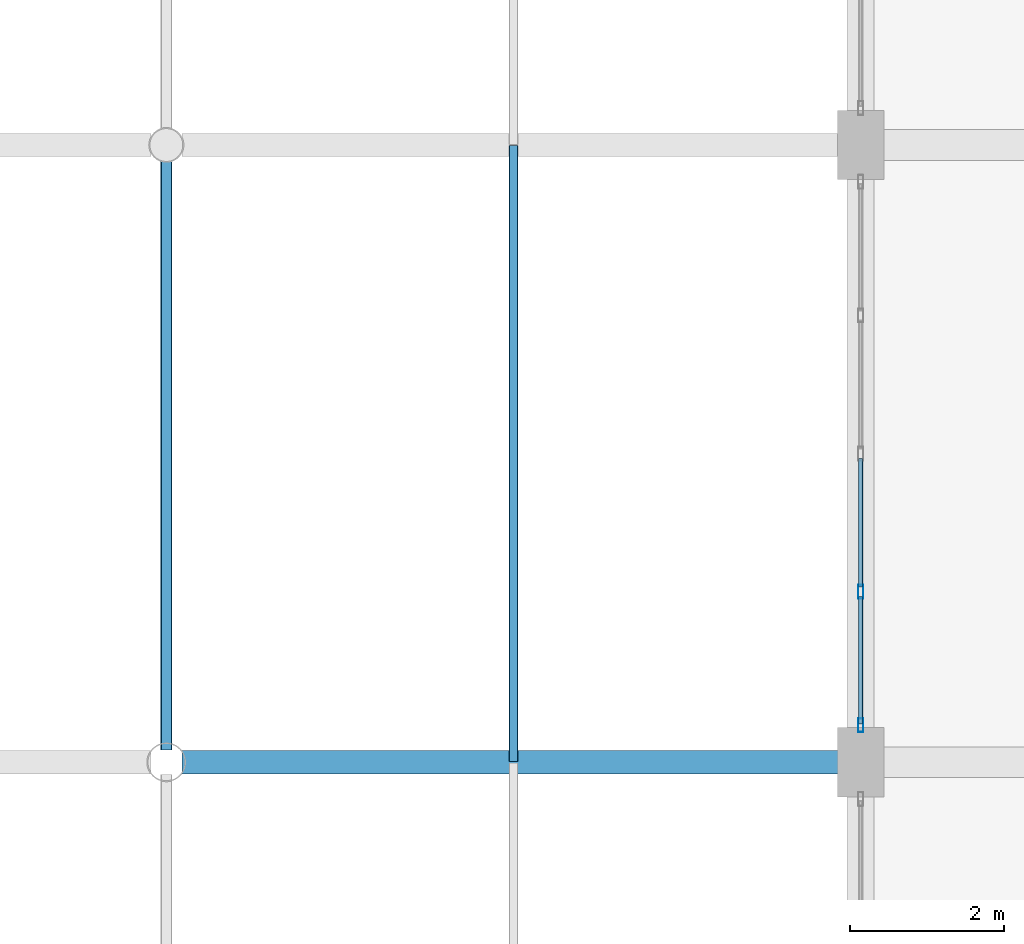
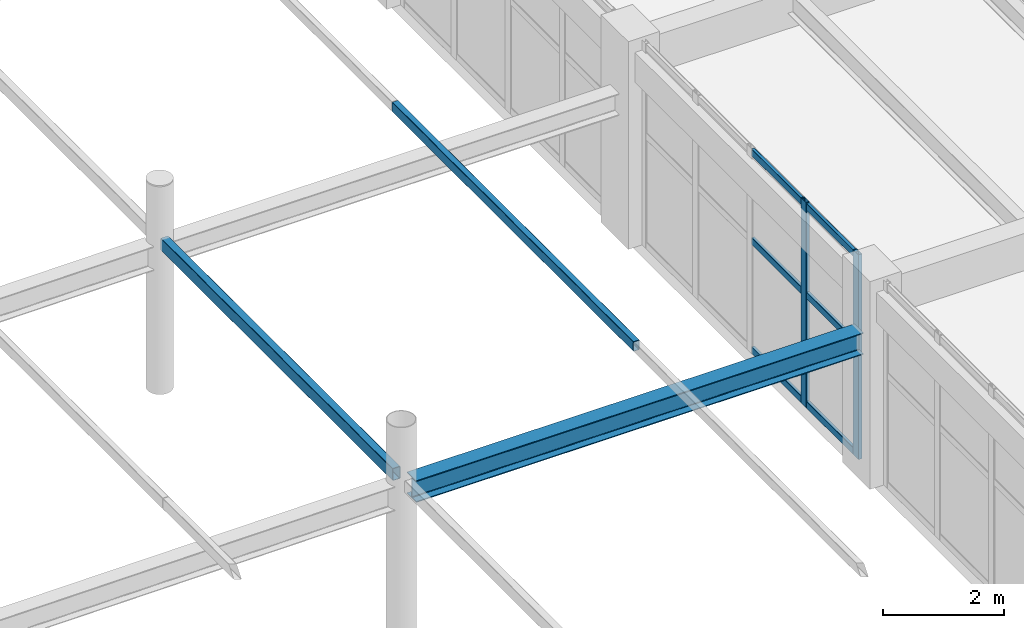
# One storey, part 33 of 148: 10 members, 1 beam, 1 element without a shape of its own.
"""IFC4 building model written with IfcOpenShell, lengths in metres."""

from ifc_helpers import new_model, si_unit, derived_unit, direction, frame, origin, origin_2d, place, context, subcontext, project, spatial, hollow_rectangle, i_section, extrude, material, material_profile, profile_set, type_object, element, aggregate, save


model = new_model("IFC4")

# Units and contexts
model_context = context("Model", 3, precision=1e-05, world=origin(), true_north=direction((0.0, 1.0)))
body_context = subcontext(model_context, "Body", "Model", "MODEL_VIEW")
ifc_project = project(units=[si_unit("LENGTHUNIT", "METRE"), si_unit("AREAUNIT", "SQUARE_METRE"), si_unit("VOLUMEUNIT", "CUBIC_METRE"), si_unit("PLANEANGLEUNIT", "RADIAN"), si_unit("MASSUNIT", "GRAM", prefix="KILO"), derived_unit("THERMALTRANSMITTANCEUNIT", [(si_unit("MASSUNIT", "GRAM", prefix="KILO"), 1), (si_unit("TIMEUNIT", "SECOND"), -3), (si_unit("THERMODYNAMICTEMPERATUREUNIT", "KELVIN"), -1)])], contexts=[model_context])

# Site, building, storey
site_placement = place(None, origin())
site = spatial("IfcSite", under=ifc_project, at=site_placement, CompositionType="ELEMENT")
building_placement = place(site_placement, origin())
building = spatial("IfcBuilding", under=site, at=building_placement, Name="Zhenchuan Archway Interchange", CompositionType="ELEMENT")
storey_placement = place(building_placement, frame((0.0, 0.0, 10.199951171875)))
storey = spatial("IfcBuildingStorey", under=building, at=storey_placement, Name="L02", CompositionType="ELEMENT", Elevation=10.199951171875)

# Beam
ifc_material_1 = material(Name="Steel Q355", Category="steel")
ifc_material_profile_1 = material_profile(ifc_material_1, i_section(OverallWidth=0.300048828125, OverallDepth=0.43994140625, WebThickness=0.010986328125, FlangeThickness=0.01806640625, FilletRadius=0.02197265625, at=origin_2d()), Name="HM 440x300")
ifc_profile_set_1 = profile_set([ifc_material_profile_1], Name="Steel Q355")
beam_type = type_object("IfcBeamType", Name="BM_STL_HM440", PredefinedType="BEAM", material=ifc_profile_set_1)
beam_placement = place(storey_placement, frame((18.199951171875, 40.0, 2.75), z_axis=(1.0, 0.0, 0.0), x_axis=(0.0, 1.0, 0.0)))
element("IfcBeam", 1, at=beam_placement, inside=storey, type_object=beam_type, Name="ROOF TRUSS bus canopy T3 east bottom chord", PredefinedType="BEAM", context=body_context, shape_type="SweptSolid", body=[
    extrude(i_section(OverallWidth=0.300048828125, OverallDepth=0.43994140625, WebThickness=0.010986328125, FlangeThickness=0.01806640625, FilletRadius=0.02197265625, at=origin_2d()), origin(), (0.0, 0.0, 1.0), 8.550048828125),
])

# Curtain wall, members
ifc_material_2 = material(Name="Anodised Aluminium", Category="aluminium")
curtain_wall_type = type_object("IfcCurtainWallType", Name="CW_UNIT_1", PredefinedType="NOTDEFINED", material=ifc_material_2)
curtain_wall_placement = place(storey_placement, origin())
curtain_wall = element("IfcCurtainWall", 2, at=curtain_wall_placement, inside=storey, type_object=curtain_wall_type, Name="Unitised curtain wall CW:L02:128", PredefinedType="NOTDEFINED")
ifc_material_profile_2 = material_profile(ifc_material_2, hollow_rectangle(XDim=0.070068359375, YDim=0.179931640625, WallThickness=0.00390625, InnerFilletRadius=0.00390625, OuterFilletRadius=0.008056640625, at=origin_2d()), Name="ALU 180x70x4")
ifc_profile_set_2 = profile_set([ifc_material_profile_2], Name="Anodised Aluminium")
member_type_1 = type_object("IfcMemberType", Name="CW_MUL_180", PredefinedType="MULLION", material=ifc_profile_set_2)
member_1_placement = place(storey_placement, frame((27.0, 40.47802734375, 0.0), z_axis=(0.0, 0.0, 1.0), x_axis=(1.0, 0.0, 0.0)))
member_1 = element("IfcMember", 3, at=member_1_placement, type_object=member_type_1, Name="CW:L02:128 mullion 0", PredefinedType="MULLION", context=body_context, shape_type="SweptSolid", body=[
    extrude(hollow_rectangle(XDim=0.070068359375, YDim=0.179931640625, WallThickness=0.00390625, InnerFilletRadius=0.00390625, OuterFilletRadius=0.008056640625, at=origin_2d()), origin(), (0.0, 0.0, 1.0), 4.14013671875),
])
member_2_placement = place(storey_placement, frame((27.0, 42.208984375, 0.0), z_axis=(0.0, 0.0, 1.0), x_axis=(1.0, 0.0, 0.0)))
member_2 = element("IfcMember", 4, at=member_2_placement, type_object=member_type_1, Name="CW:L02:128 mullion 1", PredefinedType="MULLION", context=body_context, shape_type="SweptSolid", body=[
    extrude(hollow_rectangle(XDim=0.070068359375, YDim=0.179931640625, WallThickness=0.00390625, InnerFilletRadius=0.00390625, OuterFilletRadius=0.008056640625, at=origin_2d()), origin(), (0.0, 0.0, 1.0), 4.14013671875),
])
ifc_material_profile_3 = material_profile(ifc_material_2, hollow_rectangle(XDim=0.06005859375, YDim=0.139892578125, WallThickness=0.00341796875, InnerFilletRadius=0.00341796875, OuterFilletRadius=0.007080078125, at=origin_2d()), Name="ALU 140x60x3.5")
ifc_profile_set_3 = profile_set([ifc_material_profile_3], Name="Anodised Aluminium")
member_type_2 = type_object("IfcMemberType", Name="CW_TRN_140", PredefinedType="USERDEFINED", material=ifc_profile_set_3)
member_3_placement = place(storey_placement, frame((27.0, 40.498046875, 0.06005859375), z_axis=(0.0, 1.0, 0.0), x_axis=(-1.0, 0.0, 0.0)))
member_3 = element("IfcMember", 5, at=member_3_placement, type_object=member_type_2, Name="CW:L02:128 transom 0-1", ObjectType="TRANSOM", PredefinedType="USERDEFINED", context=body_context, shape_type="SweptSolid", body=[
    extrude(hollow_rectangle(XDim=0.06005859375, YDim=0.139892578125, WallThickness=0.00341796875, InnerFilletRadius=0.00341796875, OuterFilletRadius=0.007080078125, at=origin_2d()), origin(), (0.0, 0.0, 1.0), 1.65087890625),
])
member_4_placement = place(storey_placement, frame((27.0, 40.498046875, 2.26611328125), z_axis=(0.0, 1.0, 0.0), x_axis=(-1.0, 0.0, 0.0)))
member_4 = element("IfcMember", 6, at=member_4_placement, type_object=member_type_2, Name="CW:L02:128 transom 0-2", ObjectType="TRANSOM", PredefinedType="USERDEFINED", context=body_context, shape_type="SweptSolid", body=[
    extrude(hollow_rectangle(XDim=0.06005859375, YDim=0.139892578125, WallThickness=0.00341796875, InnerFilletRadius=0.00341796875, OuterFilletRadius=0.007080078125, at=origin_2d()), origin(), (0.0, 0.0, 1.0), 1.65087890625),
])
member_5_placement = place(storey_placement, frame((27.0, 40.498046875, 4.06005859375), z_axis=(0.0, 1.0, 0.0), x_axis=(-1.0, 0.0, 0.0)))
member_5 = element("IfcMember", 7, at=member_5_placement, type_object=member_type_2, Name="CW:L02:128 transom 0-3", ObjectType="TRANSOM", PredefinedType="USERDEFINED", context=body_context, shape_type="SweptSolid", body=[
    extrude(hollow_rectangle(XDim=0.06005859375, YDim=0.139892578125, WallThickness=0.00341796875, InnerFilletRadius=0.00341796875, OuterFilletRadius=0.007080078125, at=origin_2d()), origin(), (0.0, 0.0, 1.0), 1.65087890625),
])
member_6_placement = place(storey_placement, frame((27.0, 42.26904296875, 0.06005859375), z_axis=(0.0, 1.0, 0.0), x_axis=(-1.0, 0.0, 0.0)))
member_6 = element("IfcMember", 8, at=member_6_placement, type_object=member_type_2, Name="CW:L02:128 transom 1-1", ObjectType="TRANSOM", PredefinedType="USERDEFINED", context=body_context, shape_type="SweptSolid", body=[
    extrude(hollow_rectangle(XDim=0.06005859375, YDim=0.139892578125, WallThickness=0.00341796875, InnerFilletRadius=0.00341796875, OuterFilletRadius=0.007080078125, at=origin_2d()), origin(), (0.0, 0.0, 1.0), 1.6708984375),
])
member_7_placement = place(storey_placement, frame((27.0, 42.26904296875, 2.26611328125), z_axis=(0.0, 1.0, 0.0), x_axis=(-1.0, 0.0, 0.0)))
member_7 = element("IfcMember", 9, at=member_7_placement, type_object=member_type_2, Name="CW:L02:128 transom 1-2", ObjectType="TRANSOM", PredefinedType="USERDEFINED", context=body_context, shape_type="SweptSolid", body=[
    extrude(hollow_rectangle(XDim=0.06005859375, YDim=0.139892578125, WallThickness=0.00341796875, InnerFilletRadius=0.00341796875, OuterFilletRadius=0.007080078125, at=origin_2d()), origin(), (0.0, 0.0, 1.0), 1.6708984375),
])
member_8_placement = place(storey_placement, frame((27.0, 42.26904296875, 4.06005859375), z_axis=(0.0, 1.0, 0.0), x_axis=(-1.0, 0.0, 0.0)))
member_8 = element("IfcMember", 10, at=member_8_placement, type_object=member_type_2, Name="CW:L02:128 transom 1-3", ObjectType="TRANSOM", PredefinedType="USERDEFINED", context=body_context, shape_type="SweptSolid", body=[
    extrude(hollow_rectangle(XDim=0.06005859375, YDim=0.139892578125, WallThickness=0.00341796875, InnerFilletRadius=0.00341796875, OuterFilletRadius=0.007080078125, at=origin_2d()), origin(), (0.0, 0.0, 1.0), 1.6708984375),
])
aggregate(curtain_wall, [member_1, member_2, member_3, member_4, member_5, member_6, member_7, member_8])

# Members
ifc_material_profile_4 = material_profile(ifc_material_1, hollow_rectangle(XDim=0.1201171875, YDim=0.199951171875, WallThickness=0.008056640625, InnerFilletRadius=0.008056640625, OuterFilletRadius=0.01611328125, at=origin_2d()), Name="RHS 200x120x8")
ifc_profile_set_4 = profile_set([ifc_material_profile_4], Name="Steel Q355")
member_type_3 = type_object("IfcMemberType", Name="MB_RHS200", PredefinedType="PURLIN", material=ifc_profile_set_4)
member_9_placement = place(storey_placement, frame((22.5, 40.008056640625, 4.10009765625), z_axis=(0.0, 1.0, 0.0), x_axis=(-1.0, 0.0, 0.0)))
element("IfcMember", 11, at=member_9_placement, inside=storey, type_object=member_type_3, Name="Bus canopy roof purlin B3-P6", PredefinedType="PURLIN", context=body_context, shape_type="SweptSolid", body=[
    extrude(hollow_rectangle(XDim=0.1201171875, YDim=0.199951171875, WallThickness=0.008056640625, InnerFilletRadius=0.008056640625, OuterFilletRadius=0.01611328125, at=origin_2d()), origin(), (0.0, 0.0, 1.0), 7.98388671875),
])
ifc_material_profile_5 = material_profile(ifc_material_1, hollow_rectangle(XDim=0.14990234375, YDim=0.25, WallThickness=0.008056640625, InnerFilletRadius=0.008056640625, OuterFilletRadius=0.01611328125, at=origin_2d()), Name="RHS 250x150x8")
ifc_profile_set_5 = profile_set([ifc_material_profile_5], Name="Steel Q355")
member_type_4 = type_object("IfcMemberType", Name="MB_RHS250", PredefinedType="PURLIN", material=ifc_profile_set_5)
member_10_placement = place(storey_placement, frame((18.0, 40.159912109375, 3.0), z_axis=(0.0, 1.0, 0.0), x_axis=(-1.0, 0.0, 0.0)))
element("IfcMember", 12, at=member_10_placement, inside=storey, type_object=member_type_4, Name="Bus canopy roof purlin B3-P5", PredefinedType="PURLIN", context=body_context, shape_type="SweptSolid", body=[
    extrude(hollow_rectangle(XDim=0.14990234375, YDim=0.25, WallThickness=0.008056640625, InnerFilletRadius=0.008056640625, OuterFilletRadius=0.01611328125, at=origin_2d()), origin(), (0.0, 0.0, 1.0), 7.68017578125),
])

save(model, "model.ifc")
